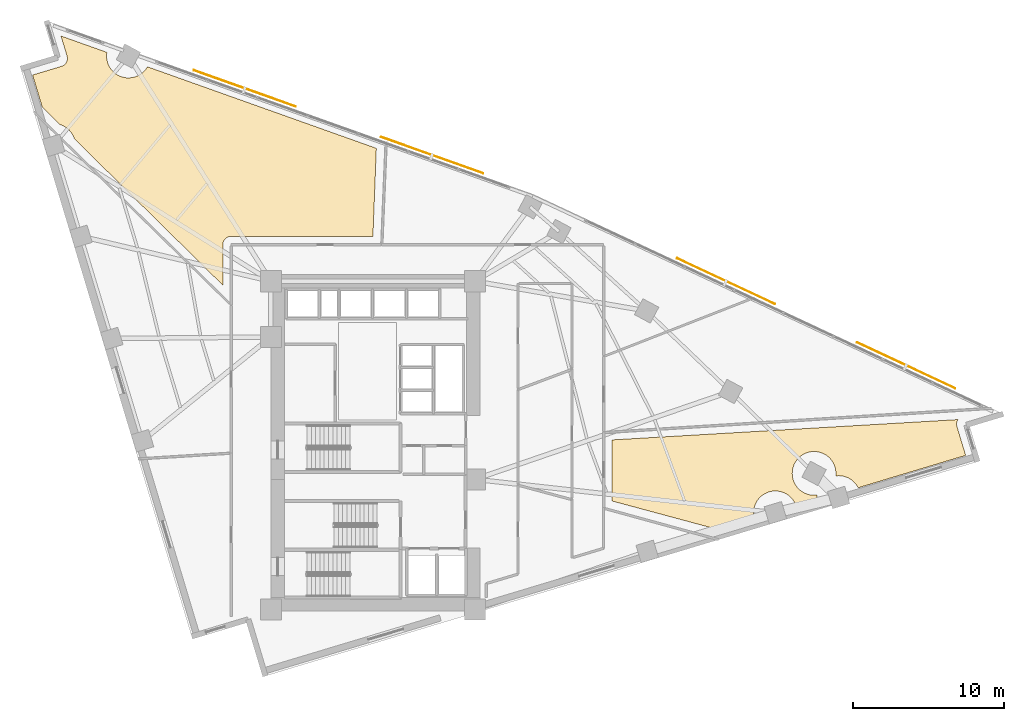
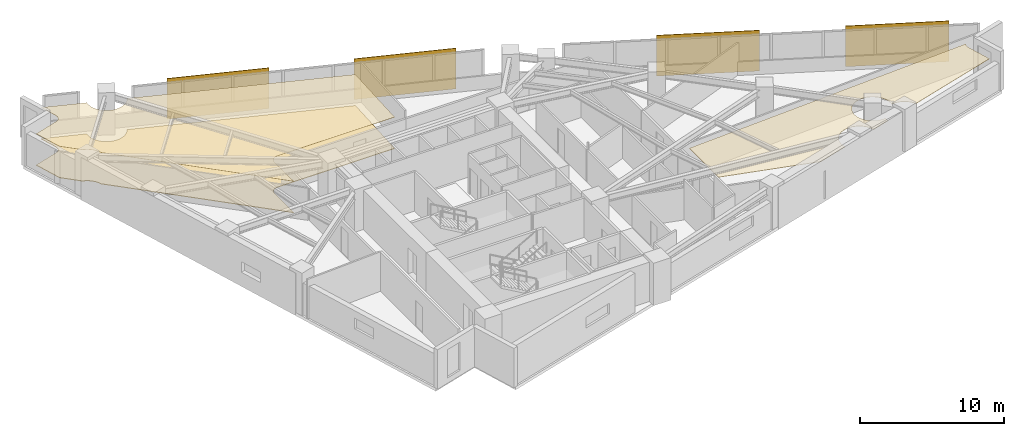
# One storey, part 17 of 17: 4 shading devices, 3 coverings.
"""IFC4 building model written with IfcOpenShell, lengths in metres."""

from ifc_helpers import new_model, si_unit, direction, frame, origin, origin_2d, place, context, subcontext, project, spatial, polyline, rectangle, outline, extrude, material, layer, layer_set, type_object, element, save


model = new_model("IFC4")

# Units and contexts
model_context = context("Model", 3, precision=1e-05, world=origin(), true_north=direction((0.0, 1.0)))
body_context = subcontext(model_context, "Body", "Model", "MODEL_VIEW")
ifc_project = project(units=[si_unit("LENGTHUNIT", "METRE"), si_unit("AREAUNIT", "SQUARE_METRE"), si_unit("VOLUMEUNIT", "CUBIC_METRE"), si_unit("PLANEANGLEUNIT", "RADIAN"), si_unit("MASSUNIT", "GRAM", prefix="KILO")], contexts=[model_context])

# Site, building, storey
site_placement = place(None, origin())
site = spatial("IfcSite", under=ifc_project, at=site_placement, CompositionType="ELEMENT")
building_placement = place(site_placement, origin())
building = spatial("IfcBuilding", under=site, at=building_placement, Name="Narakoshi Arena Tower", CompositionType="ELEMENT")
storey_placement = place(building_placement, frame((0.0, 0.0, 139.5)))
storey = spatial("IfcBuildingStorey", under=building, at=storey_placement, Name="L37", CompositionType="ELEMENT", Elevation=139.5)

# Coverings
ifc_material_1 = material(Name="Acoustic mineral-fibre ceiling tile")
ifc_layer_1 = layer(ifc_material_1, 0.02001953125)
ifc_layer_set_1 = layer_set([ifc_layer_1], Name="Acoustic mineral-fibre ceiling tile")
covering_type_1 = type_object("IfcCoveringType", Name="COV-CLG-AC20", PredefinedType="CEILING", material=ifc_layer_set_1)
covering_1_placement = place(storey_placement, frame((0.0, 0.0, 2.669921875)))
element("IfcCovering", 1, at=covering_1_placement, inside=storey, type_object=covering_type_1, Name="L37 Suspended Acoustic Ceiling 1", PredefinedType="CEILING", context=body_context, shape_type="SweptSolid", body=[
    extrude(outline(polyline([(58.1015625, 70.76611328125), (58.15234375, 70.7841796875), (58.201171875, 70.80712890625), (58.24755859375, 70.834716796875), (58.291015625, 70.86669921875), (58.3310546875, 70.903076171875), (58.367431640625, 70.94287109375), (58.399658203125, 70.986083984375), (58.427490234375, 71.032470703125), (58.45068359375, 71.0810546875), (58.468994140625, 71.1318359375), (58.482177734375, 71.18408203125), (58.490234375, 71.237548828125), (58.492919921875, 71.29150390625), (58.490478515625, 71.345458984375), (58.482666015625, 71.398681640625), (58.4697265625, 71.451171875), (58.070068359375, 72.77880859375), (61.1171875, 71.693603515625), (61.102294921875, 71.59228515625), (61.09521484375, 71.4501953125), (61.102294921875, 71.30810546875), (61.123046875, 71.16748046875), (61.15771484375, 71.029296875), (61.20556640625, 70.8955078125), (61.266357421875, 70.766845703125), (61.339599609375, 70.644775390625), (61.42431640625, 70.530517578125), (61.52001953125, 70.425048828125), (61.625244140625, 70.329345703125), (61.739501953125, 70.24462890625), (61.86181640625, 70.17138671875), (61.990234375, 70.110595703125), (62.124267578125, 70.062744140625), (62.26220703125, 70.0283203125), (62.403076171875, 70.00732421875), (62.545166015625, 70.000244140625), (62.687255859375, 70.00732421875), (62.828125, 70.0283203125), (62.966064453125, 70.062744140625), (63.10009765625, 70.110595703125), (63.228759765625, 70.17138671875), (63.350830078125, 70.24462890625), (63.465087890625, 70.329345703125), (63.570556640625, 70.425048828125), (63.666015625, 70.530517578125), (63.750732421875, 70.644775390625), (63.8056640625, 70.736083984375), (79.002685546875, 65.323486328125), (78.77587890625, 59.47802734375), (69.364990234375, 59.47802734375), (69.31103515625, 59.475341796875), (69.2578125, 59.46728515625), (69.205322265625, 59.454345703125), (69.154541015625, 59.43603515625), (69.105712890625, 59.4130859375), (69.059326171875, 59.38525390625), (69.01611328125, 59.353271484375), (68.97607421875, 59.31689453125), (68.939697265625, 59.27685546875), (68.90771484375, 59.233642578125), (68.8798828125, 59.187255859375), (68.85693359375, 59.138427734375), (68.838623046875, 59.087646484375), (68.82568359375, 59.035400390625), (68.817626953125, 58.98193359375), (68.81494140625, 58.927978515625), (68.81494140625, 56.2333984375), (58.964111328125, 65.945068359375), (58.92041015625, 66.06689453125), (58.859619140625, 66.195556640625), (58.78662109375, 66.317626953125), (58.701904296875, 66.431884765625), (58.606201171875, 66.537353515625), (58.500732421875, 66.633056640625), (58.386474609375, 66.7177734375), (58.264404296875, 66.791015625), (58.1357421875, 66.851806640625), (58.001708984375, 66.899658203125), (57.993896484375, 66.901611328125), (56.826904296875, 68.05224609375), (56.183837890625, 70.18896484375), (58.1015625, 70.76611328125)])), origin(), (0.0, 0.0, 1.0), 0.02001953125),
])
ifc_material_2 = material(Name="Slatted oak acoustic timber baffle", Category="wood")
ifc_layer_2 = layer(ifc_material_2, 0.034912109375)
ifc_layer_set_2 = layer_set([ifc_layer_2], Name="Slatted oak acoustic timber baffle")
covering_type_2 = type_object("IfcCoveringType", Name="COV-CLG-WD35", PredefinedType="CEILING", material=ifc_layer_set_2)
covering_2_placement = place(storey_placement, frame((0.0, 0.0, 2.655029296875)))
element("IfcCovering", 2, at=covering_2_placement, inside=storey, type_object=covering_type_2, Name="L37 Suspended Acoustic Ceiling 2", PredefinedType="CEILING", context=body_context, shape_type="SweptSolid", body=[
    extrude(outline(polyline([(117.589111328125, 47.2744140625), (117.56591796875, 47.2255859375), (117.547607421875, 47.1748046875), (117.534423828125, 47.12255859375), (117.5263671875, 47.069091796875), (117.523681640625, 47.015380859375), (117.526123046875, 46.96142578125), (117.533935546875, 46.907958984375), (117.546875, 46.855712890625), (118.1240234375, 44.93798828125), (110.98681640625, 42.789794921875), (110.971435546875, 42.82275390625), (110.898193359375, 42.94482421875), (110.8134765625, 43.05908203125), (110.718017578125, 43.16455078125), (110.612548828125, 43.260009765625), (110.498291015625, 43.3447265625), (110.376220703125, 43.41796875), (110.24755859375, 43.478759765625), (110.113525390625, 43.52685546875), (109.9755859375, 43.561279296875), (109.834716796875, 43.582275390625), (109.692626953125, 43.589111328125), (109.550537109375, 43.582275390625), (109.5, 43.57470703125), (109.504150390625, 43.603515625), (109.51123046875, 43.74560546875), (109.504150390625, 43.8876953125), (109.4833984375, 44.0283203125), (109.44873046875, 44.16650390625), (109.40087890625, 44.30029296875), (109.340087890625, 44.428955078125), (109.266845703125, 44.551025390625), (109.18212890625, 44.665283203125), (109.08642578125, 44.770751953125), (108.981201171875, 44.866455078125), (108.86669921875, 44.951171875), (108.74462890625, 45.0244140625), (108.6162109375, 45.085205078125), (108.482177734375, 45.133056640625), (108.343994140625, 45.16748046875), (108.203369140625, 45.1884765625), (108.061279296875, 45.195556640625), (107.919189453125, 45.1884765625), (107.7783203125, 45.16748046875), (107.640380859375, 45.133056640625), (107.50634765625, 45.085205078125), (107.377685546875, 45.0244140625), (107.255615234375, 44.951171875), (107.141357421875, 44.866455078125), (107.035888671875, 44.770751953125), (106.940185546875, 44.665283203125), (106.855712890625, 44.551025390625), (106.782470703125, 44.428955078125), (106.7216796875, 44.30029296875), (106.673583984375, 44.16650390625), (106.63916015625, 44.0283203125), (106.6181640625, 43.8876953125), (106.611083984375, 43.74560546875), (106.6181640625, 43.603515625), (106.63916015625, 43.462646484375), (106.673583984375, 43.32470703125), (106.7216796875, 43.190673828125), (106.782470703125, 43.06201171875), (106.855712890625, 42.93994140625), (106.940185546875, 42.82568359375), (107.035888671875, 42.72021484375), (107.141357421875, 42.62451171875), (107.255615234375, 42.539794921875), (107.377685546875, 42.466796875), (107.50634765625, 42.406005859375), (107.640380859375, 42.35791015625), (107.7783203125, 42.323486328125), (107.919189453125, 42.302490234375), (108.061279296875, 42.29541015625), (108.203369140625, 42.302490234375), (108.25390625, 42.31005859375), (108.24951171875, 42.28125), (108.24267578125, 42.13916015625), (108.24951171875, 41.9970703125), (108.25390625, 41.96728515625), (106.87890625, 41.553466796875), (106.833251953125, 41.680908203125), (106.7724609375, 41.8095703125), (106.69921875, 41.931640625), (106.614501953125, 42.0458984375), (106.51904296875, 42.1513671875), (106.41357421875, 42.2470703125), (106.29931640625, 42.331787109375), (106.17724609375, 42.40478515625), (106.048583984375, 42.4658203125), (105.91455078125, 42.513671875), (105.776611328125, 42.548095703125), (105.6357421875, 42.569091796875), (105.49365234375, 42.576171875), (105.3515625, 42.569091796875), (105.210693359375, 42.548095703125), (105.07275390625, 42.513671875), (104.938720703125, 42.4658203125), (104.810302734375, 42.40478515625), (104.68798828125, 42.331787109375), (104.57373046875, 42.2470703125), (104.468505859375, 42.1513671875), (104.372802734375, 42.0458984375), (104.2880859375, 41.931640625), (104.21484375, 41.8095703125), (104.154052734375, 41.680908203125), (104.106201171875, 41.547119140625), (104.071533203125, 41.408935546875), (104.05078125, 41.268310546875), (104.043701171875, 41.126220703125), (104.05078125, 40.98388671875), (104.071533203125, 40.84326171875), (104.102783203125, 40.718017578125), (101.730712890625, 40.004150390625), (94.635009765625, 41.915771484375), (94.635009765625, 45.966796875), (117.614013671875, 47.31591796875), (117.589111328125, 47.2744140625)])), origin(), (0.0, 0.0, 1.0), 0.034912109375),
])
ifc_material_3 = material(Name="Raised steel access floor panel", Category="steel")
ifc_layer_3 = layer(ifc_material_3, 0.044921875)
ifc_layer_set_3 = layer_set([ifc_layer_3], Name="Raised steel access floor panel")
covering_type_3 = type_object("IfcCoveringType", Name="COV-FLR-RF45", PredefinedType="FLOORING", material=ifc_layer_set_3)
covering_3_placement = place(storey_placement, origin())
element("IfcCovering", 3, at=covering_3_placement, inside=storey, type_object=covering_type_3, Name="L37 Raised Steel Access Floor", PredefinedType="FLOORING", context=body_context, shape_type="SweptSolid", body=[
    extrude(outline(polyline([(58.1015625, 70.76611328125), (58.15234375, 70.7841796875), (58.201171875, 70.80712890625), (58.24755859375, 70.834716796875), (58.291015625, 70.86669921875), (58.3310546875, 70.903076171875), (58.367431640625, 70.94287109375), (58.399658203125, 70.986083984375), (58.427490234375, 71.032470703125), (58.45068359375, 71.0810546875), (58.468994140625, 71.1318359375), (58.482177734375, 71.18408203125), (58.490234375, 71.237548828125), (58.492919921875, 71.29150390625), (58.490478515625, 71.345458984375), (58.482666015625, 71.398681640625), (58.4697265625, 71.451171875), (58.070068359375, 72.77880859375), (61.1171875, 71.693603515625), (61.102294921875, 71.59228515625), (61.09521484375, 71.4501953125), (61.102294921875, 71.30810546875), (61.123046875, 71.16748046875), (61.15771484375, 71.029296875), (61.20556640625, 70.8955078125), (61.266357421875, 70.766845703125), (61.339599609375, 70.644775390625), (61.42431640625, 70.530517578125), (61.52001953125, 70.425048828125), (61.625244140625, 70.329345703125), (61.739501953125, 70.24462890625), (61.86181640625, 70.17138671875), (61.990234375, 70.110595703125), (62.124267578125, 70.062744140625), (62.26220703125, 70.0283203125), (62.403076171875, 70.00732421875), (62.545166015625, 70.000244140625), (62.687255859375, 70.00732421875), (62.828125, 70.0283203125), (62.966064453125, 70.062744140625), (63.10009765625, 70.110595703125), (63.228759765625, 70.17138671875), (63.350830078125, 70.24462890625), (63.465087890625, 70.329345703125), (63.570556640625, 70.425048828125), (63.666015625, 70.530517578125), (63.750732421875, 70.644775390625), (63.8056640625, 70.736083984375), (79.002685546875, 65.323486328125), (78.77587890625, 59.47802734375), (69.364990234375, 59.47802734375), (69.31103515625, 59.475341796875), (69.2578125, 59.46728515625), (69.205322265625, 59.454345703125), (69.154541015625, 59.43603515625), (69.105712890625, 59.4130859375), (69.059326171875, 59.38525390625), (69.01611328125, 59.353271484375), (68.97607421875, 59.31689453125), (68.939697265625, 59.27685546875), (68.90771484375, 59.233642578125), (68.8798828125, 59.187255859375), (68.85693359375, 59.138427734375), (68.838623046875, 59.087646484375), (68.82568359375, 59.035400390625), (68.817626953125, 58.98193359375), (68.81494140625, 58.927978515625), (68.81494140625, 56.2333984375), (58.964111328125, 65.945068359375), (58.92041015625, 66.06689453125), (58.859619140625, 66.195556640625), (58.78662109375, 66.317626953125), (58.701904296875, 66.431884765625), (58.606201171875, 66.537353515625), (58.500732421875, 66.633056640625), (58.386474609375, 66.7177734375), (58.264404296875, 66.791015625), (58.1357421875, 66.851806640625), (58.001708984375, 66.899658203125), (57.993896484375, 66.901611328125), (56.826904296875, 68.05224609375), (56.183837890625, 70.18896484375), (58.1015625, 70.76611328125)])), origin(), (0.0, 0.0, 1.0), 0.044921875),
])

# Shading devices
ifc_material_4 = material(Name="Perforated bronze ceramic-metal composite")
ifc_layer_4 = layer(ifc_material_4, 0.044921875)
ifc_layer_set_4 = layer_set([ifc_layer_4], Name="Perforated bronze ceramic-metal composite")
shading_device_type = type_object("IfcShadingDeviceType", Name="SHD-SCR-BRZ1", PredefinedType="USERDEFINED", material=ifc_layer_set_4)
for number, where, z_axis, x_axis, name in (
    (4, (114.172607421875, 50.910888671875, 0.0), (0.0, 0.0, 1.0), (-0.9058795101, 0.423535492234, 0.0), "L37 Perforated Bronze Solar Screen 1-1"),
    (5, (102.21484375, 56.50146484375, 0.0), (0.0, 0.0, 1.0), (-0.9058795101, 0.423535492234, 0.0), "L37 Perforated Bronze Solar Screen 1-2"),
    (6, (82.70068359375, 64.868896484375, 0.0), (0.0, 0.0, 1.0), (-0.942034031554, 0.33551733695, 0.0), "L37 Perforated Bronze Solar Screen 2-1"),
    (7, (70.265869140625, 69.297607421875, 0.0), (0.0, 0.0, 1.0), (-0.942034031554, 0.33551733695, 0.0), "L37 Perforated Bronze Solar Screen 2-2"),
):
    element("IfcShadingDevice", number, at=place(storey_placement, frame(where, z_axis=z_axis, x_axis=x_axis)), inside=storey, type_object=shading_device_type, Name=name, ObjectType="SOLAR SCREEN", PredefinedType="USERDEFINED", context=body_context, shape_type="SweptSolid", body=[
        extrude(rectangle(XDim=7.199951171875, YDim=0.044921875, at=origin_2d()), origin(), (0.0, 0.0, 1.0), 3.449951171875),
    ])

save(model, "model.ifc")
